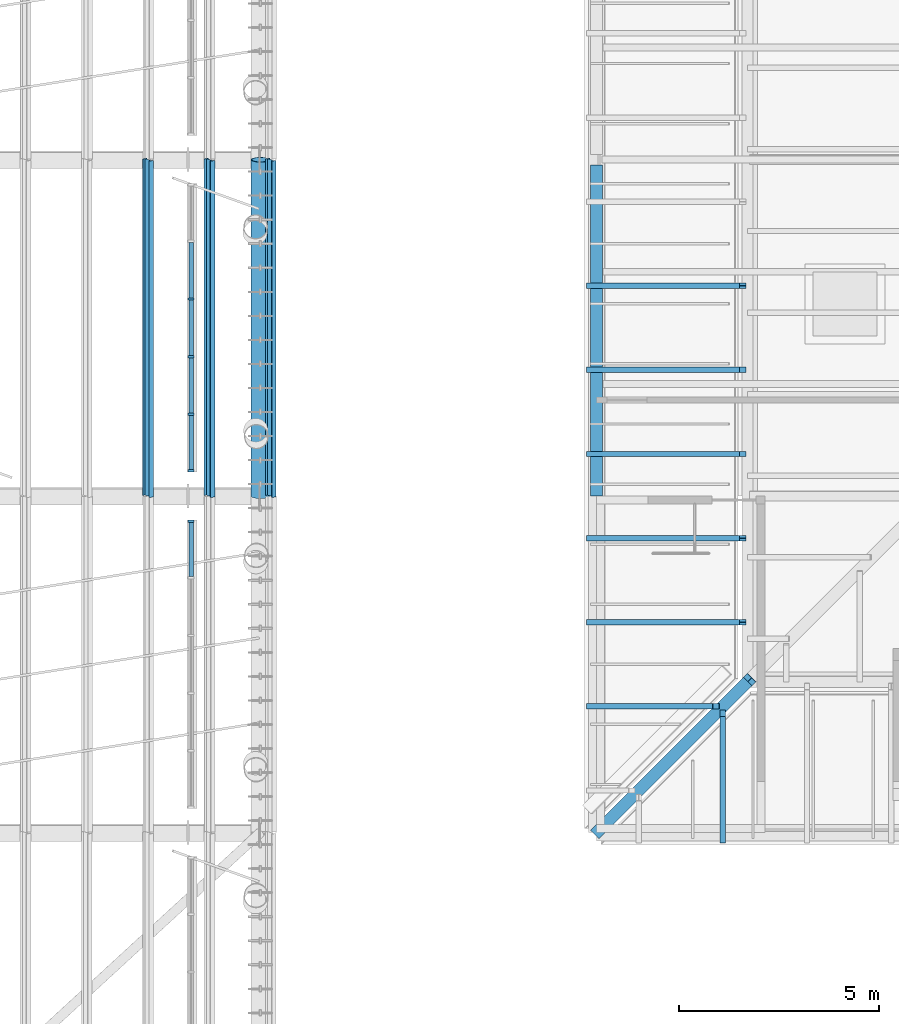
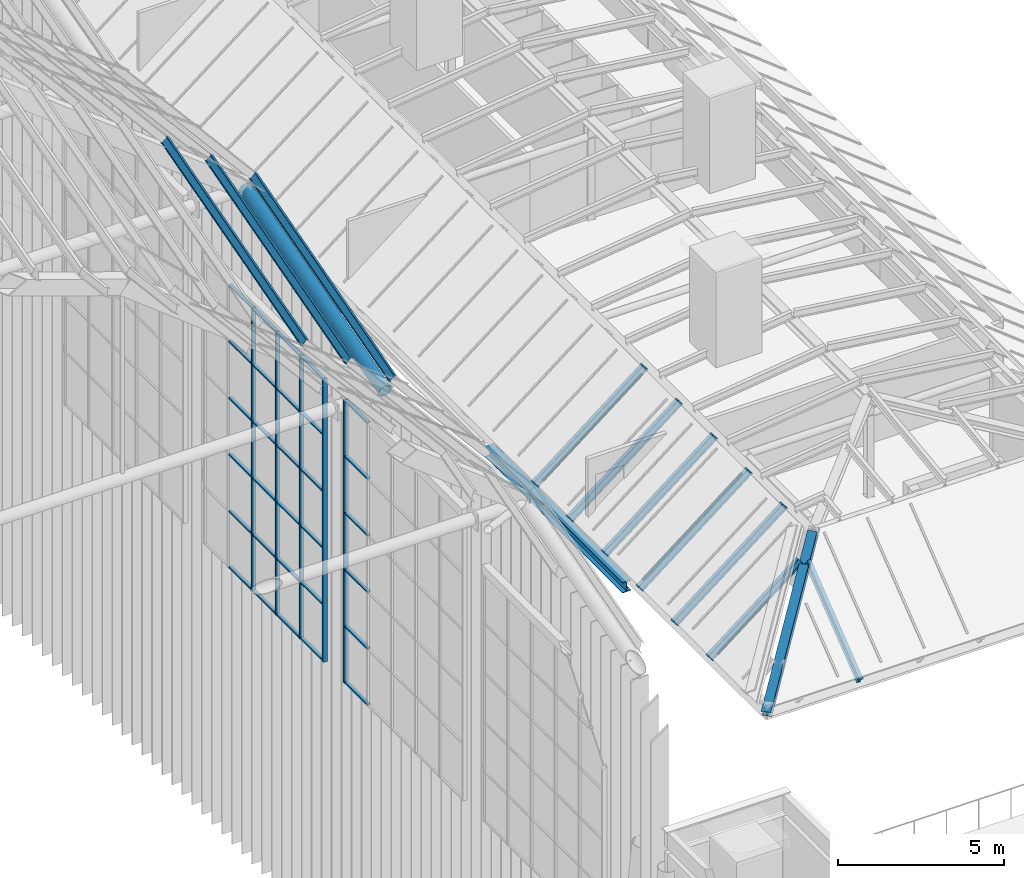
# One storey, part 44 of 126: 45 members, 3 beams, 2 elements without a shape of their own.
"""IFC4 building model written with IfcOpenShell, lengths in metres."""

from ifc_helpers import new_model, si_unit, direction, frame, origin, origin_2d, place, context, subcontext, project, spatial, rectangle, hollow_circle, i_section, extrude, material, material_profile, profile_set, type_object, element, aggregate, save


model = new_model("IFC4")

# Units and contexts
model_context = context("Model", 3, precision=1e-05, world=origin(), true_north=direction((0.0, 1.0)))
body_context = subcontext(model_context, "Body", "Model", "MODEL_VIEW")
ifc_project = project(units=[si_unit("LENGTHUNIT", "METRE"), si_unit("AREAUNIT", "SQUARE_METRE"), si_unit("VOLUMEUNIT", "CUBIC_METRE"), si_unit("PLANEANGLEUNIT", "RADIAN"), si_unit("MASSUNIT", "GRAM", prefix="KILO")], contexts=[model_context])

# Site, building, storey
site_placement = place(None, origin())
site = spatial("IfcSite", under=ifc_project, at=site_placement, CompositionType="ELEMENT")
building_placement = place(site_placement, origin())
building = spatial("IfcBuilding", under=site, at=building_placement, Name="Sava Quay Ferry Terminal", CompositionType="ELEMENT")
storey_placement = place(building_placement, frame((0.0, 0.0, 15.0)))
storey = spatial("IfcBuildingStorey", under=building, at=storey_placement, Name="L03", CompositionType="ELEMENT", Elevation=15.0)

# Beams
ifc_material_1 = material(Name="Steel S355", Category="steel")
ifc_material_profile_1 = material_profile(ifc_material_1, hollow_circle(Radius=0.228515625, WallThickness=0.01611328125, at=origin_2d()), Name="CHS 457 x 16.0")
ifc_profile_set_1 = profile_set([ifc_material_profile_1], Name="Steel S355")
beam_type_1 = type_object("IfcBeamType", Name="Eave beam CHS 457x16", PredefinedType="BEAM", material=ifc_profile_set_1)
beam_1_placement = place(storey_placement, frame((84.0, 67.199951171875, 9.714111328125), z_axis=(0.0, 0.962818275279, 0.270149900588), x_axis=(-1.0, 0.0, 0.0)))
element("IfcBeam", 1, at=beam_1_placement, inside=storey, type_object=beam_type_1, Name="Departure hall eave beam R3", PredefinedType="BEAM", context=body_context, shape_type="SweptSolid", body=[
    extrude(hollow_circle(Radius=0.228515625, WallThickness=0.01611328125, at=origin_2d()), origin(), (0.0, 0.0, 1.0), 8.724609375),
])
ifc_material_2 = material(Name="Steel S355", Category="steel")
ifc_material_profile_2 = material_profile(ifc_material_2, i_section(OverallWidth=0.300048828125, OverallDepth=0.389892578125, WebThickness=0.010986328125, FlangeThickness=0.01904296875, at=origin_2d()), Name="HE 400 A")
ifc_profile_set_2 = profile_set([ifc_material_profile_2], Name="Steel S355")
beam_type_2 = type_object("IfcBeamType", Name="Girder HE 400 A", PredefinedType="BEAM", material=ifc_profile_set_2)
beam_2_placement = place(storey_placement, frame((92.39990234375, 67.199951171875, -0.41162109375), z_axis=(0.0, 1.0, 0.0), x_axis=(-1.0, 0.0, 0.0)))
element("IfcBeam", 2, at=beam_2_placement, inside=storey, type_object=beam_type_2, Name="Girder L03", PredefinedType="BEAM", context=body_context, shape_type="SweptSolid", body=[
    extrude(i_section(OverallWidth=0.300048828125, OverallDepth=0.389892578125, WebThickness=0.010986328125, FlangeThickness=0.01904296875, at=origin_2d()), origin(), (0.0, 0.0, 1.0), 8.27001953125),
])
ifc_material_3 = material(Name="Steel S355", Category="steel")
ifc_material_profile_3 = material_profile(ifc_material_3, i_section(OverallWidth=0.300048828125, OverallDepth=0.2900390625, WebThickness=0.008544921875, FlangeThickness=0.013916015625, at=origin_2d()), Name="HE 300 A")
ifc_profile_set_3 = profile_set([ifc_material_profile_3], Name="Steel S355")
beam_type_3 = type_object("IfcBeamType", Name="Mansard beam HE 300 A", PredefinedType="BEAM", material=ifc_profile_set_3)
beam_3_placement = place(storey_placement, frame((92.39990234375, 58.800048828125, 0.0), z_axis=(0.618136979793, 0.618097456968, 0.48565647108), x_axis=(-0.707084174387, 0.707129387263, 0.0)))
element("IfcBeam", 3, at=beam_3_placement, inside=storey, type_object=beam_type_3, Name="Mansard hip beam hip.E0", PredefinedType="BEAM", context=body_context, shape_type="SweptSolid", body=[
    extrude(i_section(OverallWidth=0.300048828125, OverallDepth=0.2900390625, WebThickness=0.008544921875, FlangeThickness=0.013916015625, at=origin_2d()), origin(), (0.0, 0.0, 1.0), 6.17724609375),
])

# Members
ifc_material_4 = material(Name="Steel S355", Category="steel")
ifc_material_profile_4 = material_profile(ifc_material_4, i_section(OverallWidth=0.135009765625, OverallDepth=0.27001953125, WebThickness=0.006591796875, FlangeThickness=0.01025390625, at=origin_2d()), Name="IPE 270")
ifc_profile_set_4 = profile_set([ifc_material_profile_4], Name="Steel S355")
member_type_1 = type_object("IfcMemberType", Name="Mansard rafter IPE 270", PredefinedType="RAFTER", material=ifc_profile_set_4)
member_1_placement = place(storey_placement, frame((95.550048828125, 58.626953125, 0.22021484375), z_axis=(0.0, 0.786350059008, 0.617781178653), x_axis=(-1.0, 0.0, 0.0)))
element("IfcMember", 4, at=member_1_placement, inside=storey, type_object=member_type_1, Name="Mansard rafter O-L0-RA1", PredefinedType="RAFTER", context=body_context, shape_type="SweptSolid", body=[
    extrude(i_section(OverallWidth=0.135009765625, OverallDepth=0.27001953125, WebThickness=0.006591796875, FlangeThickness=0.01025390625, at=origin_2d()), origin(), (0.0, 0.0, 1.0), 4.006103515625),
])
for number, where, z_axis, x_axis, name in (
    (5, (92.22705078125, 72.449951171875, 0.22021484375), (0.786313104704, 0.0, 0.617828213479), (0.0, 1.0, 0.0), "Mansard rafter O-L3-RA17"),
    (6, (92.22705078125, 70.35009765625, 0.22021484375), (0.786313104704, 0.0, 0.617828213479), (0.0, 1.0, 0.0), "Mansard rafter O-L3-RA18"),
    (7, (92.22705078125, 68.25, 0.22021484375), (0.786313104704, 0.0, 0.617828213479), (0.0, 1.0, 0.0), "Mansard rafter O-L3-RA19"),
    (8, (92.22705078125, 66.14990234375, 0.22021484375), (0.786313104704, 0.0, 0.617828213479), (0.0, 1.0, 0.0), "Mansard rafter O-L3-RA20"),
    (9, (92.22705078125, 64.050048828125, 0.22021484375), (0.786313104704, 0.0, 0.617828213479), (0.0, 1.0, 0.0), "Mansard rafter O-L3-RA21"),
):
    element("IfcMember", number, at=place(storey_placement, frame(where, z_axis=z_axis, x_axis=x_axis)), inside=storey, type_object=member_type_1, Name=name, PredefinedType="RAFTER", context=body_context, shape_type="SweptSolid", body=[
        extrude(i_section(OverallWidth=0.135009765625, OverallDepth=0.27001953125, WebThickness=0.006591796875, FlangeThickness=0.01025390625, at=origin_2d()), origin(), (0.0, 0.0, 1.0), 4.855712890625),
    ])
member_2_placement = place(storey_placement, frame((92.22705078125, 61.949951171875, 0.22021484375), z_axis=(0.786326798147, 0.0, 0.617810785368), x_axis=(0.0, 1.0, 0.0)))
element("IfcMember", 10, at=member_2_placement, inside=storey, type_object=member_type_1, Name="Mansard rafter O-L3-RA22", PredefinedType="RAFTER", context=body_context, shape_type="SweptSolid", body=[
    extrude(i_section(OverallWidth=0.135009765625, OverallDepth=0.27001953125, WebThickness=0.006591796875, FlangeThickness=0.01025390625, at=origin_2d()), origin(), (0.0, 0.0, 1.0), 4.005859375),
])

# Curtain wall, member
ifc_material_5 = material(Name="Aluminium and glass curtain wall, double low-e glazed", Category="aluminium")
curtain_wall_type = type_object("IfcCurtainWallType", Name="Curtain wall CW-F flank", PredefinedType="NOTDEFINED", material=ifc_material_5)
curtain_wall_1_placement = place(storey_placement, origin())
curtain_wall_1 = element("IfcCurtainWall", 11, at=curtain_wall_1_placement, inside=storey, type_object=curtain_wall_type, Name="Curtain wall D-E L03 bay 2", PredefinedType="NOTDEFINED")
ifc_material_6 = material(Name="Aluminium EN AW-6063 T6", Category="aluminium")
ifc_material_profile_5 = material_profile(ifc_material_6, rectangle(XDim=0.14990234375, YDim=0.06005859375, at=origin_2d()), Name="Mullion 60x150 aluminium")
ifc_profile_set_5 = profile_set([ifc_material_profile_5], Name="Aluminium EN AW-6063 T6")
member_type_2 = type_object("IfcMemberType", Name="Mullion 60x150 aluminium", PredefinedType="MULLION", material=ifc_profile_set_5)
member_3_placement = place(storey_placement, frame((82.27490234375, 66.570068359375, 0.0), z_axis=(0.0, 0.0, 1.0), x_axis=(-1.0, 0.0, 0.0)))
member_3 = element("IfcMember", 12, at=member_3_placement, type_object=member_type_2, Name="CW43 mullion 6", PredefinedType="MULLION", context=body_context, shape_type="SweptSolid", body=[
    extrude(rectangle(XDim=0.14990234375, YDim=0.06005859375, at=origin_2d()), origin(), (0.0, 0.0, 1.0), 10.39990234375),
])

# Curtain wall, members
curtain_wall_2_placement = place(storey_placement, origin())
curtain_wall_2 = element("IfcCurtainWall", 13, at=curtain_wall_2_placement, inside=storey, type_object=curtain_wall_type, Name="Curtain wall D-E L03 bay 3", PredefinedType="NOTDEFINED")
member_4_placement = place(storey_placement, frame((82.27490234375, 67.830078125, 0.0), z_axis=(0.0, 0.0, 1.0), x_axis=(-1.0, 0.0, 0.0)))
member_4 = element("IfcMember", 14, at=member_4_placement, type_object=member_type_2, Name="CW47 mullion 1", PredefinedType="MULLION", context=body_context, shape_type="SweptSolid", body=[
    extrude(rectangle(XDim=0.14990234375, YDim=0.06005859375, at=origin_2d()), origin(), (0.0, 0.0, 1.0), 10.39990234375),
])
member_5_placement = place(storey_placement, frame((82.27490234375, 69.239990234375, 0.0), z_axis=(0.0, 0.0, 1.0), x_axis=(-1.0, 0.0, 0.0)))
member_5 = element("IfcMember", 15, at=member_5_placement, type_object=member_type_2, Name="CW47 mullion 2", PredefinedType="MULLION", context=body_context, shape_type="SweptSolid", body=[
    extrude(rectangle(XDim=0.14990234375, YDim=0.06005859375, at=origin_2d()), origin(), (0.0, 0.0, 1.0), 10.39990234375),
])
member_6_placement = place(storey_placement, frame((82.27490234375, 70.679931640625, 0.0), z_axis=(0.0, 0.0, 1.0), x_axis=(-1.0, 0.0, 0.0)))
member_6 = element("IfcMember", 16, at=member_6_placement, type_object=member_type_2, Name="CW47 mullion 3", PredefinedType="MULLION", context=body_context, shape_type="SweptSolid", body=[
    extrude(rectangle(XDim=0.14990234375, YDim=0.06005859375, at=origin_2d()), origin(), (0.0, 0.0, 1.0), 10.39990234375),
])
member_7_placement = place(storey_placement, frame((82.27490234375, 72.1201171875, 0.0), z_axis=(0.0, 0.0, 1.0), x_axis=(-1.0, 0.0, 0.0)))
member_7 = element("IfcMember", 17, at=member_7_placement, type_object=member_type_2, Name="CW47 mullion 4", PredefinedType="MULLION", context=body_context, shape_type="SweptSolid", body=[
    extrude(rectangle(XDim=0.14990234375, YDim=0.06005859375, at=origin_2d()), origin(), (0.0, 0.0, 1.0), 10.39990234375),
])

# Members
ifc_material_7 = material(Name="Steel S355", Category="steel")
ifc_material_profile_6 = material_profile(ifc_material_7, i_section(OverallWidth=0.135009765625, OverallDepth=0.27001953125, WebThickness=0.006591796875, FlangeThickness=0.01025390625, at=origin_2d()), Name="IPE 270")
ifc_profile_set_6 = profile_set([ifc_material_profile_6], Name="Steel S355")
member_type_3 = type_object("IfcMemberType", Name="Roof purlin IPE 270", PredefinedType="PURLIN", material=ifc_profile_set_6)
for number, where, z_axis, x_axis, name in (
    (18, (81.19921875, 67.199951171875, 12.467529296875), (0.0, 0.962810996405, 0.270175841262), (-0.799142410931, -0.162413978801, 0.578785890067), "Departure hall purlin bay 3 M4.4"),
    (19, (82.730224609375, 67.199951171875, 11.271240234375), (0.0, 0.962810996405, 0.270175841262), (-0.799142410931, -0.162413978801, 0.578785890067), "Departure hall purlin bay 3 M4.5"),
    (20, (84.261474609375, 67.199951171875, 10.074951171875), (0.0, 0.962810996405, 0.270175841262), (-0.799142410931, -0.162413978801, 0.578785890067), "Departure hall edge purlin bay 3 V5"),
):
    element("IfcMember", number, at=place(storey_placement, frame(where, z_axis=z_axis, x_axis=x_axis)), inside=storey, type_object=member_type_3, Name=name, PredefinedType="PURLIN", context=body_context, shape_type="SweptSolid", body=[
        extrude(i_section(OverallWidth=0.135009765625, OverallDepth=0.27001953125, WebThickness=0.006591796875, FlangeThickness=0.01025390625, at=origin_2d()), origin(), (0.0, 0.0, 1.0), 8.724609375),
    ])

# Member
ifc_material_8 = material(Name="Aluminium EN AW-6063 T6", Category="aluminium")
ifc_material_profile_7 = material_profile(ifc_material_8, rectangle(XDim=0.1201171875, YDim=0.050048828125, at=origin_2d()), Name="Transom 50x120 aluminium")
ifc_profile_set_7 = profile_set([ifc_material_profile_7], Name="Aluminium EN AW-6063 T6")
member_type_4 = type_object("IfcMemberType", Name="Transom 50x120 aluminium", PredefinedType="USERDEFINED", material=ifc_profile_set_7)
member_8_placement = place(storey_placement, frame((82.27490234375, 65.18994140625, 0.02490234375), z_axis=(0.0, 1.0, 0.0), x_axis=(-1.0, 0.0, 0.0)))
member_8 = element("IfcMember", 21, at=member_8_placement, type_object=member_type_4, Name="CW43 transom 5.1", ObjectType="TRANSOM", PredefinedType="USERDEFINED", context=body_context, shape_type="SweptSolid", body=[
    extrude(rectangle(XDim=0.1201171875, YDim=0.050048828125, at=origin_2d()), origin(), (0.0, 0.0, 1.0), 1.35009765625),
])

member_9_placement = place(storey_placement, frame((82.27490234375, 65.18994140625, 2.080078125), z_axis=(0.0, 1.0, 0.0), x_axis=(-1.0, 0.0, 0.0)))
member_9 = element("IfcMember", 22, at=member_9_placement, type_object=member_type_4, Name="CW43 transom 5.2", ObjectType="TRANSOM", PredefinedType="USERDEFINED", context=body_context, shape_type="SweptSolid", body=[
    extrude(rectangle(XDim=0.1201171875, YDim=0.050048828125, at=origin_2d()), origin(), (0.0, 0.0, 1.0), 1.35009765625),
])

member_10_placement = place(storey_placement, frame((82.27490234375, 65.18994140625, 4.159912109375), z_axis=(0.0, 1.0, 0.0), x_axis=(-1.0, 0.0, 0.0)))
member_10 = element("IfcMember", 23, at=member_10_placement, type_object=member_type_4, Name="CW43 transom 5.3", ObjectType="TRANSOM", PredefinedType="USERDEFINED", context=body_context, shape_type="SweptSolid", body=[
    extrude(rectangle(XDim=0.1201171875, YDim=0.050048828125, at=origin_2d()), origin(), (0.0, 0.0, 1.0), 1.35009765625),
])

member_11_placement = place(storey_placement, frame((82.27490234375, 65.18994140625, 6.239990234375), z_axis=(0.0, 1.0, 0.0), x_axis=(-1.0, 0.0, 0.0)))
member_11 = element("IfcMember", 24, at=member_11_placement, type_object=member_type_4, Name="CW43 transom 5.4", ObjectType="TRANSOM", PredefinedType="USERDEFINED", context=body_context, shape_type="SweptSolid", body=[
    extrude(rectangle(XDim=0.1201171875, YDim=0.050048828125, at=origin_2d()), origin(), (0.0, 0.0, 1.0), 1.35009765625),
])

member_12_placement = place(storey_placement, frame((82.27490234375, 65.18994140625, 8.320068359375), z_axis=(0.0, 1.0, 0.0), x_axis=(-1.0, 0.0, 0.0)))
member_12 = element("IfcMember", 25, at=member_12_placement, type_object=member_type_4, Name="CW43 transom 5.5", ObjectType="TRANSOM", PredefinedType="USERDEFINED", context=body_context, shape_type="SweptSolid", body=[
    extrude(rectangle(XDim=0.1201171875, YDim=0.050048828125, at=origin_2d()), origin(), (0.0, 0.0, 1.0), 1.35009765625),
])

member_13_placement = place(storey_placement, frame((82.27490234375, 65.18994140625, 10.375), z_axis=(0.0, 1.0, 0.0), x_axis=(-1.0, 0.0, 0.0)))
member_13 = element("IfcMember", 26, at=member_13_placement, type_object=member_type_4, Name="CW43 transom 5.6", ObjectType="TRANSOM", PredefinedType="USERDEFINED", context=body_context, shape_type="SweptSolid", body=[
    extrude(rectangle(XDim=0.1201171875, YDim=0.050048828125, at=origin_2d()), origin(), (0.0, 0.0, 1.0), 1.35009765625),
])

aggregate(curtain_wall_1, [member_3, member_8, member_9, member_10, member_11, member_12, member_13])

member_14_placement = place(storey_placement, frame((82.27490234375, 67.860107421875, 0.02490234375), z_axis=(0.0, 1.0, 0.0), x_axis=(-1.0, 0.0, 0.0)))
member_14 = element("IfcMember", 27, at=member_14_placement, type_object=member_type_4, Name="CW47 transom 1.1", ObjectType="TRANSOM", PredefinedType="USERDEFINED", context=body_context, shape_type="SweptSolid", body=[
    extrude(rectangle(XDim=0.1201171875, YDim=0.050048828125, at=origin_2d()), origin(), (0.0, 0.0, 1.0), 1.349853515625),
])

member_15_placement = place(storey_placement, frame((82.27490234375, 67.860107421875, 2.080078125), z_axis=(0.0, 1.0, 0.0), x_axis=(-1.0, 0.0, 0.0)))
member_15 = element("IfcMember", 28, at=member_15_placement, type_object=member_type_4, Name="CW47 transom 1.2", ObjectType="TRANSOM", PredefinedType="USERDEFINED", context=body_context, shape_type="SweptSolid", body=[
    extrude(rectangle(XDim=0.1201171875, YDim=0.050048828125, at=origin_2d()), origin(), (0.0, 0.0, 1.0), 1.349853515625),
])

member_16_placement = place(storey_placement, frame((82.27490234375, 67.860107421875, 4.159912109375), z_axis=(0.0, 1.0, 0.0), x_axis=(-1.0, 0.0, 0.0)))
member_16 = element("IfcMember", 29, at=member_16_placement, type_object=member_type_4, Name="CW47 transom 1.3", ObjectType="TRANSOM", PredefinedType="USERDEFINED", context=body_context, shape_type="SweptSolid", body=[
    extrude(rectangle(XDim=0.1201171875, YDim=0.050048828125, at=origin_2d()), origin(), (0.0, 0.0, 1.0), 1.349853515625),
])

member_17_placement = place(storey_placement, frame((82.27490234375, 67.860107421875, 6.239990234375), z_axis=(0.0, 1.0, 0.0), x_axis=(-1.0, 0.0, 0.0)))
member_17 = element("IfcMember", 30, at=member_17_placement, type_object=member_type_4, Name="CW47 transom 1.4", ObjectType="TRANSOM", PredefinedType="USERDEFINED", context=body_context, shape_type="SweptSolid", body=[
    extrude(rectangle(XDim=0.1201171875, YDim=0.050048828125, at=origin_2d()), origin(), (0.0, 0.0, 1.0), 1.349853515625),
])

member_18_placement = place(storey_placement, frame((82.27490234375, 67.860107421875, 8.320068359375), z_axis=(0.0, 1.0, 0.0), x_axis=(-1.0, 0.0, 0.0)))
member_18 = element("IfcMember", 31, at=member_18_placement, type_object=member_type_4, Name="CW47 transom 1.5", ObjectType="TRANSOM", PredefinedType="USERDEFINED", context=body_context, shape_type="SweptSolid", body=[
    extrude(rectangle(XDim=0.1201171875, YDim=0.050048828125, at=origin_2d()), origin(), (0.0, 0.0, 1.0), 1.349853515625),
])

member_19_placement = place(storey_placement, frame((82.27490234375, 67.860107421875, 10.375), z_axis=(0.0, 1.0, 0.0), x_axis=(-1.0, 0.0, 0.0)))
member_19 = element("IfcMember", 32, at=member_19_placement, type_object=member_type_4, Name="CW47 transom 1.6", ObjectType="TRANSOM", PredefinedType="USERDEFINED", context=body_context, shape_type="SweptSolid", body=[
    extrude(rectangle(XDim=0.1201171875, YDim=0.050048828125, at=origin_2d()), origin(), (0.0, 0.0, 1.0), 1.349853515625),
])

member_20_placement = place(storey_placement, frame((82.27490234375, 69.27001953125, 0.02490234375), z_axis=(0.0, 1.0, 0.0), x_axis=(-1.0, 0.0, 0.0)))
member_20 = element("IfcMember", 33, at=member_20_placement, type_object=member_type_4, Name="CW47 transom 2.1", ObjectType="TRANSOM", PredefinedType="USERDEFINED", context=body_context, shape_type="SweptSolid", body=[
    extrude(rectangle(XDim=0.1201171875, YDim=0.050048828125, at=origin_2d()), origin(), (0.0, 0.0, 1.0), 1.3798828125),
])

member_21_placement = place(storey_placement, frame((82.27490234375, 69.27001953125, 2.080078125), z_axis=(0.0, 1.0, 0.0), x_axis=(-1.0, 0.0, 0.0)))
member_21 = element("IfcMember", 34, at=member_21_placement, type_object=member_type_4, Name="CW47 transom 2.2", ObjectType="TRANSOM", PredefinedType="USERDEFINED", context=body_context, shape_type="SweptSolid", body=[
    extrude(rectangle(XDim=0.1201171875, YDim=0.050048828125, at=origin_2d()), origin(), (0.0, 0.0, 1.0), 1.3798828125),
])

member_22_placement = place(storey_placement, frame((82.27490234375, 69.27001953125, 4.159912109375), z_axis=(0.0, 1.0, 0.0), x_axis=(-1.0, 0.0, 0.0)))
member_22 = element("IfcMember", 35, at=member_22_placement, type_object=member_type_4, Name="CW47 transom 2.3", ObjectType="TRANSOM", PredefinedType="USERDEFINED", context=body_context, shape_type="SweptSolid", body=[
    extrude(rectangle(XDim=0.1201171875, YDim=0.050048828125, at=origin_2d()), origin(), (0.0, 0.0, 1.0), 1.3798828125),
])

member_23_placement = place(storey_placement, frame((82.27490234375, 69.27001953125, 6.239990234375), z_axis=(0.0, 1.0, 0.0), x_axis=(-1.0, 0.0, 0.0)))
member_23 = element("IfcMember", 36, at=member_23_placement, type_object=member_type_4, Name="CW47 transom 2.4", ObjectType="TRANSOM", PredefinedType="USERDEFINED", context=body_context, shape_type="SweptSolid", body=[
    extrude(rectangle(XDim=0.1201171875, YDim=0.050048828125, at=origin_2d()), origin(), (0.0, 0.0, 1.0), 1.3798828125),
])

member_24_placement = place(storey_placement, frame((82.27490234375, 69.27001953125, 8.320068359375), z_axis=(0.0, 1.0, 0.0), x_axis=(-1.0, 0.0, 0.0)))
member_24 = element("IfcMember", 37, at=member_24_placement, type_object=member_type_4, Name="CW47 transom 2.5", ObjectType="TRANSOM", PredefinedType="USERDEFINED", context=body_context, shape_type="SweptSolid", body=[
    extrude(rectangle(XDim=0.1201171875, YDim=0.050048828125, at=origin_2d()), origin(), (0.0, 0.0, 1.0), 1.3798828125),
])

member_25_placement = place(storey_placement, frame((82.27490234375, 69.27001953125, 10.375), z_axis=(0.0, 1.0, 0.0), x_axis=(-1.0, 0.0, 0.0)))
member_25 = element("IfcMember", 38, at=member_25_placement, type_object=member_type_4, Name="CW47 transom 2.6", ObjectType="TRANSOM", PredefinedType="USERDEFINED", context=body_context, shape_type="SweptSolid", body=[
    extrude(rectangle(XDim=0.1201171875, YDim=0.050048828125, at=origin_2d()), origin(), (0.0, 0.0, 1.0), 1.3798828125),
])

member_26_placement = place(storey_placement, frame((82.27490234375, 70.7099609375, 0.02490234375), z_axis=(0.0, 1.0, 0.0), x_axis=(-1.0, 0.0, 0.0)))
member_26 = element("IfcMember", 39, at=member_26_placement, type_object=member_type_4, Name="CW47 transom 3.1", ObjectType="TRANSOM", PredefinedType="USERDEFINED", context=body_context, shape_type="SweptSolid", body=[
    extrude(rectangle(XDim=0.1201171875, YDim=0.050048828125, at=origin_2d()), origin(), (0.0, 0.0, 1.0), 1.380126953125),
])

member_27_placement = place(storey_placement, frame((82.27490234375, 70.7099609375, 2.080078125), z_axis=(0.0, 1.0, 0.0), x_axis=(-1.0, 0.0, 0.0)))
member_27 = element("IfcMember", 40, at=member_27_placement, type_object=member_type_4, Name="CW47 transom 3.2", ObjectType="TRANSOM", PredefinedType="USERDEFINED", context=body_context, shape_type="SweptSolid", body=[
    extrude(rectangle(XDim=0.1201171875, YDim=0.050048828125, at=origin_2d()), origin(), (0.0, 0.0, 1.0), 1.380126953125),
])

member_28_placement = place(storey_placement, frame((82.27490234375, 70.7099609375, 4.159912109375), z_axis=(0.0, 1.0, 0.0), x_axis=(-1.0, 0.0, 0.0)))
member_28 = element("IfcMember", 41, at=member_28_placement, type_object=member_type_4, Name="CW47 transom 3.3", ObjectType="TRANSOM", PredefinedType="USERDEFINED", context=body_context, shape_type="SweptSolid", body=[
    extrude(rectangle(XDim=0.1201171875, YDim=0.050048828125, at=origin_2d()), origin(), (0.0, 0.0, 1.0), 1.380126953125),
])

member_29_placement = place(storey_placement, frame((82.27490234375, 70.7099609375, 6.239990234375), z_axis=(0.0, 1.0, 0.0), x_axis=(-1.0, 0.0, 0.0)))
member_29 = element("IfcMember", 42, at=member_29_placement, type_object=member_type_4, Name="CW47 transom 3.4", ObjectType="TRANSOM", PredefinedType="USERDEFINED", context=body_context, shape_type="SweptSolid", body=[
    extrude(rectangle(XDim=0.1201171875, YDim=0.050048828125, at=origin_2d()), origin(), (0.0, 0.0, 1.0), 1.380126953125),
])

member_30_placement = place(storey_placement, frame((82.27490234375, 70.7099609375, 8.320068359375), z_axis=(0.0, 1.0, 0.0), x_axis=(-1.0, 0.0, 0.0)))
member_30 = element("IfcMember", 43, at=member_30_placement, type_object=member_type_4, Name="CW47 transom 3.5", ObjectType="TRANSOM", PredefinedType="USERDEFINED", context=body_context, shape_type="SweptSolid", body=[
    extrude(rectangle(XDim=0.1201171875, YDim=0.050048828125, at=origin_2d()), origin(), (0.0, 0.0, 1.0), 1.380126953125),
])

member_31_placement = place(storey_placement, frame((82.27490234375, 70.7099609375, 10.375), z_axis=(0.0, 1.0, 0.0), x_axis=(-1.0, 0.0, 0.0)))
member_31 = element("IfcMember", 44, at=member_31_placement, type_object=member_type_4, Name="CW47 transom 3.6", ObjectType="TRANSOM", PredefinedType="USERDEFINED", context=body_context, shape_type="SweptSolid", body=[
    extrude(rectangle(XDim=0.1201171875, YDim=0.050048828125, at=origin_2d()), origin(), (0.0, 0.0, 1.0), 1.380126953125),
])

member_32_placement = place(storey_placement, frame((82.27490234375, 72.14990234375, 0.02490234375), z_axis=(0.0, 1.0, 0.0), x_axis=(-1.0, 0.0, 0.0)))
member_32 = element("IfcMember", 45, at=member_32_placement, type_object=member_type_4, Name="CW47 transom 4.1", ObjectType="TRANSOM", PredefinedType="USERDEFINED", context=body_context, shape_type="SweptSolid", body=[
    extrude(rectangle(XDim=0.1201171875, YDim=0.050048828125, at=origin_2d()), origin(), (0.0, 0.0, 1.0), 1.380126953125),
])

member_33_placement = place(storey_placement, frame((82.27490234375, 72.14990234375, 2.080078125), z_axis=(0.0, 1.0, 0.0), x_axis=(-1.0, 0.0, 0.0)))
member_33 = element("IfcMember", 46, at=member_33_placement, type_object=member_type_4, Name="CW47 transom 4.2", ObjectType="TRANSOM", PredefinedType="USERDEFINED", context=body_context, shape_type="SweptSolid", body=[
    extrude(rectangle(XDim=0.1201171875, YDim=0.050048828125, at=origin_2d()), origin(), (0.0, 0.0, 1.0), 1.380126953125),
])

member_34_placement = place(storey_placement, frame((82.27490234375, 72.14990234375, 4.159912109375), z_axis=(0.0, 1.0, 0.0), x_axis=(-1.0, 0.0, 0.0)))
member_34 = element("IfcMember", 47, at=member_34_placement, type_object=member_type_4, Name="CW47 transom 4.3", ObjectType="TRANSOM", PredefinedType="USERDEFINED", context=body_context, shape_type="SweptSolid", body=[
    extrude(rectangle(XDim=0.1201171875, YDim=0.050048828125, at=origin_2d()), origin(), (0.0, 0.0, 1.0), 1.380126953125),
])

member_35_placement = place(storey_placement, frame((82.27490234375, 72.14990234375, 6.239990234375), z_axis=(0.0, 1.0, 0.0), x_axis=(-1.0, 0.0, 0.0)))
member_35 = element("IfcMember", 48, at=member_35_placement, type_object=member_type_4, Name="CW47 transom 4.4", ObjectType="TRANSOM", PredefinedType="USERDEFINED", context=body_context, shape_type="SweptSolid", body=[
    extrude(rectangle(XDim=0.1201171875, YDim=0.050048828125, at=origin_2d()), origin(), (0.0, 0.0, 1.0), 1.380126953125),
])

member_36_placement = place(storey_placement, frame((82.27490234375, 72.14990234375, 8.320068359375), z_axis=(0.0, 1.0, 0.0), x_axis=(-1.0, 0.0, 0.0)))
member_36 = element("IfcMember", 49, at=member_36_placement, type_object=member_type_4, Name="CW47 transom 4.5", ObjectType="TRANSOM", PredefinedType="USERDEFINED", context=body_context, shape_type="SweptSolid", body=[
    extrude(rectangle(XDim=0.1201171875, YDim=0.050048828125, at=origin_2d()), origin(), (0.0, 0.0, 1.0), 1.380126953125),
])

member_37_placement = place(storey_placement, frame((82.27490234375, 72.14990234375, 10.375), z_axis=(0.0, 1.0, 0.0), x_axis=(-1.0, 0.0, 0.0)))
member_37 = element("IfcMember", 50, at=member_37_placement, type_object=member_type_4, Name="CW47 transom 4.6", ObjectType="TRANSOM", PredefinedType="USERDEFINED", context=body_context, shape_type="SweptSolid", body=[
    extrude(rectangle(XDim=0.1201171875, YDim=0.050048828125, at=origin_2d()), origin(), (0.0, 0.0, 1.0), 1.380126953125),
])

aggregate(curtain_wall_2, [member_4, member_5, member_6, member_7, member_14, member_15, member_16, member_17, member_18, member_19, member_20, member_21, member_22, member_23, member_24, member_25, member_26, member_27, member_28, member_29, member_30, member_31, member_32, member_33, member_34, member_35, member_36, member_37])

save(model, "model.ifc")
